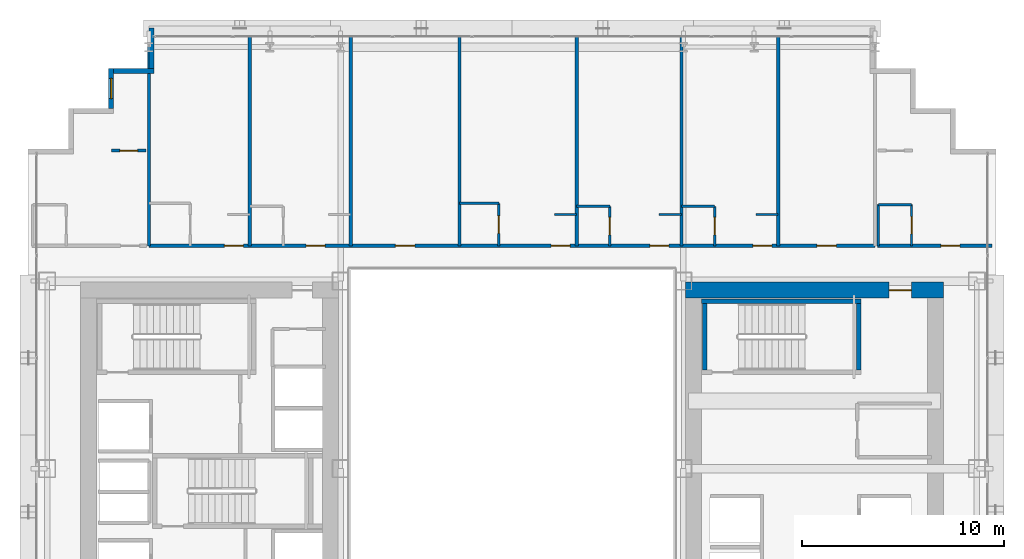
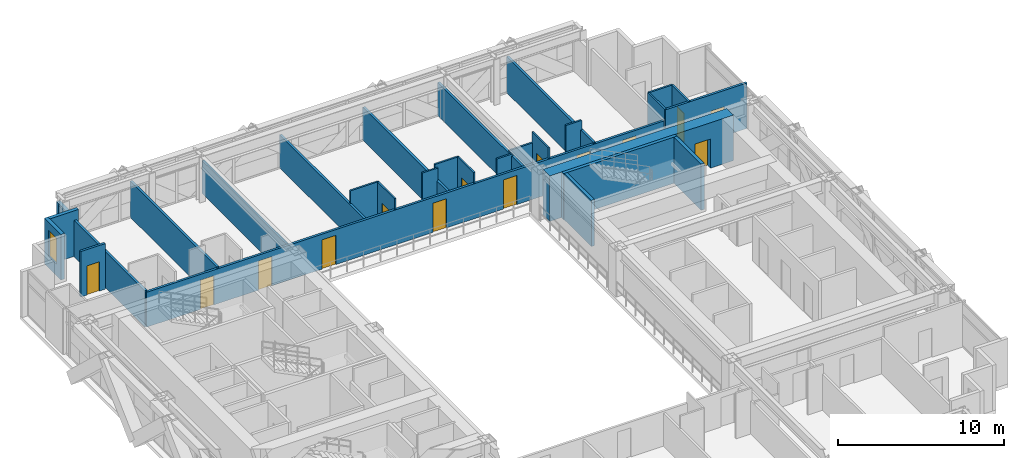
# One storey, part 30 of 35: 29 walls, 14 doors, 1 window, 15 openings.
"""IFC4 building model written with IfcOpenShell, lengths in metres."""

from ifc_helpers import new_model, si_unit, direction, frame, frame_2d, origin, place, context, subcontext, project, spatial, rectangle, extrude, source, transform, mapped, material, layer, layer_set, type_object, element, fill, save


model = new_model("IFC4")

# Units and contexts
model_context = context("Model", 3, precision=1e-05, world=origin(), true_north=direction((0.0, 1.0)))
body_context = subcontext(model_context, "Body", "Model", "MODEL_VIEW")
ifc_project = project(units=[si_unit("LENGTHUNIT", "METRE"), si_unit("AREAUNIT", "SQUARE_METRE"), si_unit("VOLUMEUNIT", "CUBIC_METRE"), si_unit("PLANEANGLEUNIT", "RADIAN"), si_unit("MASSUNIT", "GRAM", prefix="KILO")], contexts=[model_context])

# Site, building, storey
site_placement = place(None, origin())
site = spatial("IfcSite", under=ifc_project, at=site_placement, CompositionType="ELEMENT")
building_placement = place(site_placement, origin())
building = spatial("IfcBuilding", under=site, at=building_placement, Name="Ocotamira Hotel", CompositionType="ELEMENT")
storey_placement = place(building_placement, frame((0.0, 0.0, 70.800048828125)))
storey = spatial("IfcBuildingStorey", under=building, at=storey_placement, Name="L17", CompositionType="ELEMENT", Elevation=70.800048828125)

# Wall, opening, door
ifc_material_1 = material(Name="Concrete C60/75", Category="concrete")
ifc_layer_1 = layer(ifc_material_1, 0.800048828125)
ifc_layer_set_1 = layer_set([ifc_layer_1], Name="Concrete C60/75")
wall_type_1 = type_object("IfcWallType", Name="WL-CORE-800", PredefinedType="SHEAR", material=ifc_layer_set_1)
wall_1_placement = place(storey_placement, frame((40.60009765625, 37.0, 0.0), z_axis=(0.0, 0.0, 1.0), x_axis=(1.0, 0.0, 0.0)))
wall_1 = element("IfcWall", 1, at=wall_1_placement, inside=storey, type_object=wall_type_1, Name="L17 Shear Core Wall ECORE-N", PredefinedType="SHEAR", context=body_context, shape_type="SweptSolid", body=[
    extrude(rectangle(XDim=12.7998046875, YDim=0.800048828125, at=frame_2d((6.39990234375, 0.0))), origin(), (0.0, 0.0, 1.0), 3.349853515625),
])
opening_1_placement = place(wall_1_placement, frame((10.10009765625, 0.0, 0.0)))
opening_1 = element("IfcOpeningElement", 2, at=opening_1_placement, cuts=wall_1, Name="Opening D-FR1", PredefinedType="OPENING", context=body_context, shape_type="SweptSolid", body=[
    extrude(rectangle(XDim=1.10009765625, YDim=2.14990234375, at=frame_2d((0.550048828125, 1.074951171875))), frame((0.0, 0.41015625, 0.0), z_axis=(0.0, -1.0, 0.0), x_axis=(1.0, 0.0, 0.0)), (0.0, 0.0, 1.0), 0.820068359375),
])
ifc_material_2 = material(Name="Fire-rated acoustic timber-veneer door", Category="wood")
door_type_1 = type_object("IfcDoorType", Name="DR-FIRE-1100", OperationType="NOTDEFINED", PredefinedType="DOOR", material=ifc_material_2)
shared_shape_1 = source(origin(), body_context, "Body", "SweptSolid", [
    extrude(rectangle(XDim=1.10009765625, YDim=2.14990234375, at=frame_2d((0.550048828125, 1.074951171875))), frame((0.0, 0.02490234375, 0.0), z_axis=(0.0, -1.0, 0.0), x_axis=(1.0, 0.0, 0.0)), (0.0, 0.0, 1.0), 0.050048828125),
])
door_1_placement = place(opening_1_placement, origin())
door_1 = element("IfcDoor", 3, at=door_1_placement, inside=storey, type_object=door_type_1, Name="L17 Door ID-L17-ELOB-N-D [ID-L17-ELOB-N-D]", OperationType="SINGLE_SWING_LEFT", OverallHeight=2.14990234375, OverallWidth=1.10009765625, PredefinedType="DOOR", context=body_context, shape_type="MappedRepresentation", body=[
    mapped(shared_shape_1, transform((0.0, 0.0, 0.0), scale=1.0)),
])
fill(opening_1, door_1)

# Walls
ifc_material_3 = material(Name="Precast concrete C45/55", Category="concrete")
ifc_layer_2 = layer(ifc_material_3, 0.25)
ifc_layer_set_2 = layer_set([ifc_layer_2], Name="Precast concrete C45/55")
wall_type_2 = type_object("IfcWallType", Name="WL-EXT-SER-250", PredefinedType="SOLIDWALL", material=ifc_layer_set_2)
wall_2_placement = place(storey_placement, frame((14.125, 50.0, 0.0), z_axis=(0.0, 0.0, 1.0), x_axis=(0.0, -1.0, 0.0)))
element("IfcWall", 4, at=wall_2_placement, inside=storey, type_object=wall_type_2, Name="L17 Serrated Corner Wall 13", PredefinedType="SOLIDWALL", context=body_context, shape_type="SweptSolid", body=[
    extrude(rectangle(XDim=2.0, YDim=0.25, at=frame_2d((1.0, 0.0))), origin(), (0.0, 0.0, 1.0), 2.656982421875),
])
wall_3_placement = place(storey_placement, frame((14.25, 47.875, 0.0), z_axis=(0.0, 0.0, 1.0), x_axis=(-1.0, 0.0, 0.0)))
element("IfcWall", 5, at=wall_3_placement, inside=storey, type_object=wall_type_2, Name="L17 Serrated Corner Wall 14", PredefinedType="SOLIDWALL", context=body_context, shape_type="SweptSolid", body=[
    extrude(rectangle(XDim=2.0, YDim=0.25, at=frame_2d((1.0, 0.0))), origin(), (0.0, 0.0, 1.0), 3.349853515625),
])

# Wall, opening, window
wall_4_placement = place(storey_placement, frame((12.125, 48.0, 0.0), z_axis=(0.0, 0.0, 1.0), x_axis=(0.0, -1.0, 0.0)))
wall_4 = element("IfcWall", 6, at=wall_4_placement, inside=storey, type_object=wall_type_2, Name="L17 Serrated Corner Wall 15", PredefinedType="SOLIDWALL", context=body_context, shape_type="SweptSolid", body=[
    extrude(rectangle(XDim=2.0, YDim=0.25, at=frame_2d((1.0, 0.0))), origin(), (0.0, 0.0, 1.0), 3.349853515625),
])
opening_2_placement = place(wall_4_placement, frame((0.5, 0.0, 0.85009765625)))
opening_2 = element("IfcOpeningElement", 7, at=opening_2_placement, cuts=wall_4, Name="Opening WN-2", PredefinedType="OPENING", context=body_context, shape_type="SweptSolid", body=[
    extrude(rectangle(XDim=1.0, YDim=1.89990234375, at=frame_2d((0.5, 0.949951171875))), frame((0.0, 0.135009765625, 0.0), z_axis=(0.0, -1.0, 0.0), x_axis=(1.0, 0.0, 0.0)), (0.0, 0.0, 1.0), 0.27001953125),
])
ifc_material_4 = material(Name="Double-silver low-E solar glass", Category="glass")
window_type = type_object("IfcWindowType", Name="WIN-SER-1100", PartitioningType="SINGLE_PANEL", PredefinedType="WINDOW", material=ifc_material_4)
shared_shape_2 = source(origin(), body_context, "Body", "SweptSolid", [
    extrude(rectangle(XDim=1.0, YDim=1.89990234375, at=frame_2d((0.5, 0.949951171875))), frame((0.0, 0.030029296875, 0.0), z_axis=(0.0, -1.0, 0.0), x_axis=(1.0, 0.0, 0.0)), (0.0, 0.0, 1.0), 0.06005859375),
])
window_placement = place(opening_2_placement, origin())
window = element("IfcWindow", 8, at=window_placement, inside=storey, type_object=window_type, Name="L17 Serrated Corner Window 15", OverallHeight=1.89990234375, OverallWidth=1.0, PartitioningType="SINGLE_PANEL", PredefinedType="WINDOW", context=body_context, shape_type="MappedRepresentation", body=[
    mapped(shared_shape_2, transform((0.0, 0.0, 0.0), scale=1.0)),
])
fill(opening_2, window)

# Wall, opening, door
ifc_material_5 = material(Name="Acoustic double-layer fire gypsum board partition", Category="gypsum")
ifc_layer_3 = layer(ifc_material_5, 0.159912109375)
ifc_layer_set_3 = layer_set([ifc_layer_3], Name="Acoustic double-layer fire gypsum board partition")
wall_type_3 = type_object("IfcWallType", Name="WL-FIRE-160", PredefinedType="PARTITIONING", material=ifc_layer_set_3)
wall_5_placement = place(storey_placement, frame((50.1201171875, 39.199951171875, 0.0), z_axis=(0.0, 0.0, 1.0), x_axis=(1.0, 0.0, 0.0)))
wall_5 = element("IfcWall", 9, at=wall_5_placement, inside=storey, type_object=wall_type_3, Name="L17 Interior Wall PW-L17-Z1D-CNE-CW", PredefinedType="PARTITIONING", context=body_context, shape_type="SweptSolid", body=[
    extrude(rectangle(XDim=5.679931640625, YDim=0.159912109375, at=frame_2d((2.83984375, 0.0))), origin(), (0.0, 0.0, 1.0), 3.349853515625),
])
opening_3_placement = place(wall_5_placement, frame((3.14990234375, 0.0, 0.0)))
opening_3 = element("IfcOpeningElement", 10, at=opening_3_placement, cuts=wall_5, Name="Opening D-GR1", PredefinedType="OPENING", context=body_context, shape_type="SweptSolid", body=[
    extrude(rectangle(XDim=0.93994140625, YDim=2.14990234375, at=frame_2d((0.469970703125, 1.074951171875))), frame((0.0, 0.08984375, 0.0), z_axis=(0.0, -1.0, 0.0), x_axis=(1.0, 0.0, 0.0)), (0.0, 0.0, 1.0), 0.179931640625),
])
ifc_material_6 = material(Name="Solid-core walnut suite entrance fire door", Category="wood")
door_type_2 = type_object("IfcDoorType", Name="DR-GUEST-940", OperationType="NOTDEFINED", PredefinedType="DOOR", material=ifc_material_6)
shared_shape_3 = source(origin(), body_context, "Body", "SweptSolid", [
    extrude(rectangle(XDim=0.93994140625, YDim=2.14990234375, at=frame_2d((0.469970703125, 1.074951171875))), frame((0.0, 0.02490234375, 0.0), z_axis=(0.0, -1.0, 0.0), x_axis=(1.0, 0.0, 0.0)), (0.0, 0.0, 1.0), 0.050048828125),
])
door_2_placement = place(opening_3_placement, origin())
door_2 = element("IfcDoor", 11, at=door_2_placement, inside=storey, type_object=door_type_2, Name="L17 Door ID-L17-Z1D-CNE-CD [ID-L17-Z1D-CNE-CD]", OperationType="SINGLE_SWING_RIGHT", OverallHeight=2.14990234375, OverallWidth=0.93994140625, PredefinedType="DOOR", context=body_context, shape_type="MappedRepresentation", body=[
    mapped(shared_shape_3, transform((0.0, 0.0, 0.0), scale=1.0)),
])
fill(opening_3, door_2)

wall_6_placement = place(storey_placement, frame((12.14990234375, 43.919921875, 0.0), z_axis=(0.0, 0.0, 1.0), x_axis=(1.0, 0.0, 0.0)))
wall_6 = element("IfcWall", 12, at=wall_6_placement, inside=storey, type_object=wall_type_3, Name="L17 Interior Wall PW-L17-Z1D-CNW2-CW", PredefinedType="PARTITIONING", context=body_context, shape_type="SweptSolid", body=[
    extrude(rectangle(XDim=1.7001953125, YDim=0.159912109375, at=frame_2d((0.85009765625, 0.0))), origin(), (0.0, 0.0, 1.0), 3.349853515625),
])
opening_4_placement = place(wall_6_placement, frame((0.409912109375, 0.0, 0.0)))
opening_4 = element("IfcOpeningElement", 13, at=opening_4_placement, cuts=wall_6, Name="Opening D-SV2", PredefinedType="OPENING", context=body_context, shape_type="SweptSolid", body=[
    extrude(rectangle(XDim=0.8798828125, YDim=2.14990234375, at=frame_2d((0.43994140625, 1.074951171875))), frame((0.0, 0.08984375, 0.0), z_axis=(0.0, -1.0, 0.0), x_axis=(1.0, 0.0, 0.0)), (0.0, 0.0, 1.0), 0.179931640625),
])
ifc_material_7 = material(Name="Fire-rated painted steel service door", Category="steel")
door_type_3 = type_object("IfcDoorType", Name="DR-SERV-880", OperationType="NOTDEFINED", PredefinedType="DOOR", material=ifc_material_7)
shared_shape_4 = source(origin(), body_context, "Body", "SweptSolid", [
    extrude(rectangle(XDim=0.8798828125, YDim=2.14990234375, at=frame_2d((0.43994140625, 1.074951171875))), frame((0.0, 0.02490234375, 0.0), z_axis=(0.0, -1.0, 0.0), x_axis=(1.0, 0.0, 0.0)), (0.0, 0.0, 1.0), 0.050048828125),
])
door_3_placement = place(opening_4_placement, origin())
door_3 = element("IfcDoor", 14, at=door_3_placement, inside=storey, type_object=door_type_3, Name="L17 Door ID-L17-Z1D-CNW2-CD [ID-L17-Z1D-CNW2-CD]", OperationType="SINGLE_SWING_LEFT", OverallHeight=2.14990234375, OverallWidth=0.8798828125, PredefinedType="DOOR", context=body_context, shape_type="MappedRepresentation", body=[
    mapped(shared_shape_4, transform((0.0, 0.0, 0.0), scale=1.0)),
])
fill(opening_4, door_3)

# Wall, openings, doors
wall_7_placement = place(storey_placement, frame((14.0, 39.199951171875, 0.0), z_axis=(0.0, 0.0, 1.0), x_axis=(1.0, 0.0, 0.0)))
wall_7 = element("IfcWall", 15, at=wall_7_placement, inside=storey, type_object=wall_type_3, Name="L17 Interior Wall PW-L17-Z1DN-CORRW", PredefinedType="PARTITIONING", context=body_context, shape_type="SweptSolid", body=[
    extrude(rectangle(XDim=36.0, YDim=0.159912109375, at=frame_2d((18.0, 0.0))), origin(), (0.0, 0.0, 1.0), 2.571044921875),
])
opening_5_placement = place(wall_7_placement, frame((3.739990234375, 0.0, 0.0)))
opening_5 = element("IfcOpeningElement", 16, at=opening_5_placement, cuts=wall_7, Name="Opening D-GR1", PredefinedType="OPENING", context=body_context, shape_type="SweptSolid", body=[
    extrude(rectangle(XDim=0.93994140625, YDim=2.14990234375, at=frame_2d((0.469970703125, 1.074951171875))), frame((0.0, 0.08984375, 0.0), z_axis=(0.0, -1.0, 0.0), x_axis=(1.0, 0.0, 0.0)), (0.0, 0.0, 1.0), 0.179931640625),
])
opening_6_placement = place(wall_7_placement, frame((7.7900390625, 0.0, 0.0)))
opening_6 = element("IfcOpeningElement", 17, at=opening_6_placement, cuts=wall_7, Name="Opening D-GR1", PredefinedType="OPENING", context=body_context, shape_type="SweptSolid", body=[
    extrude(rectangle(XDim=0.93994140625, YDim=2.14990234375, at=frame_2d((0.469970703125, 1.074951171875))), frame((0.0, 0.08984375, 0.0), z_axis=(0.0, -1.0, 0.0), x_axis=(1.0, 0.0, 0.0)), (0.0, 0.0, 1.0), 0.179931640625),
])
opening_7_placement = place(wall_7_placement, frame((12.219970703125, 0.0, 0.0)))
opening_7 = element("IfcOpeningElement", 18, at=opening_7_placement, cuts=wall_7, Name="Opening D-SV4", PredefinedType="OPENING", context=body_context, shape_type="SweptSolid", body=[
    extrude(rectangle(XDim=0.9599609375, YDim=2.14990234375, at=frame_2d((0.47998046875, 1.074951171875))), frame((0.0, 0.08984375, 0.0), z_axis=(0.0, -1.0, 0.0), x_axis=(1.0, 0.0, 0.0)), (0.0, 0.0, 1.0), 0.179931640625),
])
opening_8_placement = place(wall_7_placement, frame((19.93994140625, 0.0, 0.0)))
opening_8 = element("IfcOpeningElement", 19, at=opening_8_placement, cuts=wall_7, Name="Opening D-GR1", PredefinedType="OPENING", context=body_context, shape_type="SweptSolid", body=[
    extrude(rectangle(XDim=0.93994140625, YDim=2.14990234375, at=frame_2d((0.469970703125, 1.074951171875))), frame((0.0, 0.08984375, 0.0), z_axis=(0.0, -1.0, 0.0), x_axis=(1.0, 0.0, 0.0)), (0.0, 0.0, 1.0), 0.179931640625),
])
opening_9_placement = place(wall_7_placement, frame((24.840087890625, 0.0, 0.0)))
opening_9 = element("IfcOpeningElement", 20, at=opening_9_placement, cuts=wall_7, Name="Opening D-GR1", PredefinedType="OPENING", context=body_context, shape_type="SweptSolid", body=[
    extrude(rectangle(XDim=0.93994140625, YDim=2.14990234375, at=frame_2d((0.469970703125, 1.074951171875))), frame((0.0, 0.08984375, 0.0), z_axis=(0.0, -1.0, 0.0), x_axis=(1.0, 0.0, 0.0)), (0.0, 0.0, 1.0), 0.179931640625),
])
opening_10_placement = place(wall_7_placement, frame((29.93994140625, 0.0, 0.0)))
opening_10 = element("IfcOpeningElement", 21, at=opening_10_placement, cuts=wall_7, Name="Opening D-GR1", PredefinedType="OPENING", context=body_context, shape_type="SweptSolid", body=[
    extrude(rectangle(XDim=0.93994140625, YDim=2.14990234375, at=frame_2d((0.469970703125, 1.074951171875))), frame((0.0, 0.08984375, 0.0), z_axis=(0.0, -1.0, 0.0), x_axis=(1.0, 0.0, 0.0)), (0.0, 0.0, 1.0), 0.179931640625),
])
opening_11_placement = place(wall_7_placement, frame((33.1201171875, 0.0, 0.0)))
opening_11 = element("IfcOpeningElement", 22, at=opening_11_placement, cuts=wall_7, Name="Opening D-SV4", PredefinedType="OPENING", context=body_context, shape_type="SweptSolid", body=[
    extrude(rectangle(XDim=0.9599609375, YDim=2.14990234375, at=frame_2d((0.47998046875, 1.074951171875))), frame((0.0, 0.08984375, 0.0), z_axis=(0.0, -1.0, 0.0), x_axis=(1.0, 0.0, 0.0)), (0.0, 0.0, 1.0), 0.179931640625),
])
ifc_material_8 = material(Name="Fire-rated accessible walnut salon door", Category="wood")
door_type_4 = type_object("IfcDoorType", Name="DR-SERV-960", OperationType="NOTDEFINED", PredefinedType="DOOR", material=ifc_material_8)
shared_shape_5 = source(origin(), body_context, "Body", "SweptSolid", [
    extrude(rectangle(XDim=0.9599609375, YDim=2.14990234375, at=frame_2d((0.47998046875, 1.074951171875))), frame((0.0, 0.02490234375, 0.0), z_axis=(0.0, -1.0, 0.0), x_axis=(1.0, 0.0, 0.0)), (0.0, 0.0, 1.0), 0.050048828125),
])
door_4_placement = place(opening_7_placement, origin())
door_4 = element("IfcDoor", 23, at=door_4_placement, inside=storey, type_object=door_type_4, Name="L17 Door ID-L17-Z1DN-AMD3 [ID-L17-Z1DN-AMD3]", OperationType="SINGLE_SWING_LEFT", OverallHeight=2.14990234375, OverallWidth=0.9599609375, PredefinedType="DOOR", context=body_context, shape_type="MappedRepresentation", body=[
    mapped(shared_shape_5, transform((0.0, 0.0, 0.0), scale=1.0)),
])
fill(opening_7, door_4)
door_5_placement = place(opening_11_placement, origin())
door_5 = element("IfcDoor", 24, at=door_5_placement, inside=storey, type_object=door_type_4, Name="L17 Door ID-L17-Z1DN-AMD7 [ID-L17-Z1DN-AMD7]", OperationType="SINGLE_SWING_LEFT", OverallHeight=2.14990234375, OverallWidth=0.9599609375, PredefinedType="DOOR", context=body_context, shape_type="MappedRepresentation", body=[
    mapped(shared_shape_5, transform((0.0, 0.0, 0.0), scale=1.0)),
])
fill(opening_11, door_5)
door_6_placement = place(opening_5_placement, origin())
door_6 = element("IfcDoor", 25, at=door_6_placement, inside=storey, type_object=door_type_2, Name="L17 Door ID-L17-Z1DN-RMD1 [ID-L17-Z1DN-RMD1]", OperationType="SINGLE_SWING_LEFT", OverallHeight=2.14990234375, OverallWidth=0.93994140625, PredefinedType="DOOR", context=body_context, shape_type="MappedRepresentation", body=[
    mapped(shared_shape_3, transform((0.0, 0.0, 0.0), scale=1.0)),
])
fill(opening_5, door_6)
door_7_placement = place(opening_6_placement, origin())
door_7 = element("IfcDoor", 26, at=door_7_placement, inside=storey, type_object=door_type_2, Name="L17 Door ID-L17-Z1DN-RMD2 [ID-L17-Z1DN-RMD2]", OperationType="SINGLE_SWING_RIGHT", OverallHeight=2.14990234375, OverallWidth=0.93994140625, PredefinedType="DOOR", context=body_context, shape_type="MappedRepresentation", body=[
    mapped(shared_shape_3, transform((0.0, 0.0, 0.0), scale=1.0)),
])
fill(opening_6, door_7)
door_8_placement = place(opening_8_placement, origin())
door_8 = element("IfcDoor", 27, at=door_8_placement, inside=storey, type_object=door_type_2, Name="L17 Door ID-L17-Z1DN-RMD4 [ID-L17-Z1DN-RMD4]", OperationType="SINGLE_SWING_RIGHT", OverallHeight=2.14990234375, OverallWidth=0.93994140625, PredefinedType="DOOR", context=body_context, shape_type="MappedRepresentation", body=[
    mapped(shared_shape_3, transform((0.0, 0.0, 0.0), scale=1.0)),
])
fill(opening_8, door_8)
door_9_placement = place(opening_9_placement, origin())
door_9 = element("IfcDoor", 28, at=door_9_placement, inside=storey, type_object=door_type_2, Name="L17 Door ID-L17-Z1DN-RMD5 [ID-L17-Z1DN-RMD5]", OperationType="SINGLE_SWING_LEFT", OverallHeight=2.14990234375, OverallWidth=0.93994140625, PredefinedType="DOOR", context=body_context, shape_type="MappedRepresentation", body=[
    mapped(shared_shape_3, transform((0.0, 0.0, 0.0), scale=1.0)),
])
fill(opening_9, door_9)
door_10_placement = place(opening_10_placement, origin())
door_10 = element("IfcDoor", 29, at=door_10_placement, inside=storey, type_object=door_type_2, Name="L17 Door ID-L17-Z1DN-RMD6 [ID-L17-Z1DN-RMD6]", OperationType="SINGLE_SWING_RIGHT", OverallHeight=2.14990234375, OverallWidth=0.93994140625, PredefinedType="DOOR", context=body_context, shape_type="MappedRepresentation", body=[
    mapped(shared_shape_3, transform((0.0, 0.0, 0.0), scale=1.0)),
])
fill(opening_10, door_10)

# Wall, opening, door
ifc_material_9 = material(Name="Moisture-resistant en-suite tile and gypsum partition", Category="gypsum")
ifc_layer_4 = layer(ifc_material_9, 0.1201171875)
ifc_layer_set_4 = layer_set([ifc_layer_4], Name="Moisture-resistant en-suite tile and gypsum partition")
wall_type_4 = type_object("IfcWallType", Name="WL-PART-120", PredefinedType="PARTITIONING", material=ifc_layer_set_4)
wall_8_placement = place(storey_placement, frame((51.81005859375, 39.199951171875, 0.0), z_axis=(0.0, 0.0, 1.0), x_axis=(0.0, 1.0, 0.0)))
wall_8 = element("IfcWall", 30, at=wall_8_placement, inside=storey, type_object=wall_type_4, Name="L17 Interior Wall PW-L17-Z1D-CNE-BE", PredefinedType="PARTITIONING", context=body_context, shape_type="SweptSolid", body=[
    extrude(rectangle(XDim=2.0400390625, YDim=0.1201171875, at=frame_2d((1.02001953125, 0.0))), origin(), (0.0, 0.0, 1.0), 3.349853515625),
])
opening_12_placement = place(wall_8_placement, frame((0.590087890625, 0.0, 0.0)))
opening_12 = element("IfcOpeningElement", 31, at=opening_12_placement, cuts=wall_8, Name="Opening D-BA1", PredefinedType="OPENING", context=body_context, shape_type="SweptSolid", body=[
    extrude(rectangle(XDim=0.860107421875, YDim=2.10009765625, at=frame_2d((0.43017578125, 1.050048828125))), frame((0.0, 0.070068359375, 0.0), z_axis=(0.0, -1.0, 0.0), x_axis=(1.0, 0.0, 0.0)), (0.0, 0.0, 1.0), 0.14013671875),
])
ifc_material_10 = material(Name="Moisture-sealed en-suite timber door", Category="wood")
door_type_5 = type_object("IfcDoorType", Name="DR-BATH-860", OperationType="NOTDEFINED", PredefinedType="DOOR", material=ifc_material_10)
shared_shape_6 = source(origin(), body_context, "Body", "SweptSolid", [
    extrude(rectangle(XDim=0.860107421875, YDim=2.10009765625, at=frame_2d((0.43017578125, 1.050048828125))), frame((0.0, 0.02490234375, 0.0), z_axis=(0.0, -1.0, 0.0), x_axis=(1.0, 0.0, 0.0)), (0.0, 0.0, 1.0), 0.050048828125),
])
door_11_placement = place(opening_12_placement, origin())
door_11 = element("IfcDoor", 32, at=door_11_placement, inside=storey, type_object=door_type_5, Name="L17 Door ID-L17-Z1D-CNE-BD [ID-L17-Z1D-CNE-BD]", OperationType="SINGLE_SWING_LEFT", OverallHeight=2.10009765625, OverallWidth=0.860107421875, PredefinedType="DOOR", context=body_context, shape_type="MappedRepresentation", body=[
    mapped(shared_shape_6, transform((0.0, 0.0, 0.0), scale=1.0)),
])
fill(opening_12, door_11)

# Walls
wall_9_placement = place(storey_placement, frame((50.159912109375, 39.199951171875, 0.0), z_axis=(0.0, 0.0, 1.0), x_axis=(0.0, 1.0, 0.0)))
element("IfcWall", 33, at=wall_9_placement, inside=storey, type_object=wall_type_4, Name="L17 Interior Wall PW-L17-Z1D-CNE-BW", PredefinedType="PARTITIONING", context=body_context, shape_type="SweptSolid", body=[
    extrude(rectangle(XDim=2.0400390625, YDim=0.1201171875, at=frame_2d((1.02001953125, 0.0))), origin(), (0.0, 0.0, 1.0), 3.349853515625),
])
wall_10_placement = place(storey_placement, frame((50.159912109375, 41.239990234375, 0.0), z_axis=(0.0, 0.0, 1.0), x_axis=(1.0, 0.0, 0.0)))
element("IfcWall", 34, at=wall_10_placement, inside=storey, type_object=wall_type_4, Name="L17 Interior Wall PW-L17-Z1D-CNE-BH", PredefinedType="PARTITIONING", context=body_context, shape_type="SweptSolid", body=[
    extrude(rectangle(XDim=1.650146484375, YDim=0.1201171875, at=frame_2d((0.8251953125, 0.0))), origin(), (0.0, 0.0, 1.0), 3.349853515625),
])

# Wall, opening, door
wall_11_placement = place(storey_placement, frame((31.35009765625, 39.199951171875, 0.0), z_axis=(0.0, 0.0, 1.0), x_axis=(0.0, 1.0, 0.0)))
wall_11 = element("IfcWall", 35, at=wall_11_placement, inside=storey, type_object=wall_type_4, Name="L17 Interior Wall PW-L17-Z1DN-BAE4", PredefinedType="PARTITIONING", context=body_context, shape_type="SweptSolid", body=[
    extrude(rectangle(XDim=2.10009765625, YDim=0.1201171875, at=frame_2d((1.050048828125, 0.0))), origin(), (0.0, 0.0, 1.0), 3.349853515625),
])
opening_13_placement = place(wall_11_placement, frame((0.6201171875, 0.0, 0.0)))
opening_13 = element("IfcOpeningElement", 36, at=opening_13_placement, cuts=wall_11, Name="Opening D-BA1", PredefinedType="OPENING", context=body_context, shape_type="SweptSolid", body=[
    extrude(rectangle(XDim=0.860107421875, YDim=2.10009765625, at=frame_2d((0.43017578125, 1.050048828125))), frame((0.0, 0.070068359375, 0.0), z_axis=(0.0, -1.0, 0.0), x_axis=(1.0, 0.0, 0.0)), (0.0, 0.0, 1.0), 0.14013671875),
])
door_12_placement = place(opening_13_placement, origin())
door_12 = element("IfcDoor", 37, at=door_12_placement, inside=storey, type_object=door_type_5, Name="L17 Door ID-L17-Z1DN-BAD4 [ID-L17-Z1DN-BAD4]", OperationType="SINGLE_SWING_LEFT", OverallHeight=2.10009765625, OverallWidth=0.860107421875, PredefinedType="DOOR", context=body_context, shape_type="MappedRepresentation", body=[
    mapped(shared_shape_6, transform((0.0, 0.0, 0.0), scale=1.0)),
])
fill(opening_13, door_12)

# Walls
wall_12_placement = place(storey_placement, frame((29.39990234375, 41.300048828125, 0.0), z_axis=(0.0, 0.0, 1.0), x_axis=(1.0, 0.0, 0.0)))
element("IfcWall", 38, at=wall_12_placement, inside=storey, type_object=wall_type_4, Name="L17 Interior Wall PW-L17-Z1DN-BAN4", PredefinedType="PARTITIONING", context=body_context, shape_type="SweptSolid", body=[
    extrude(rectangle(XDim=1.9501953125, YDim=0.1201171875, at=frame_2d((0.97509765625, 0.0))), origin(), (0.0, 0.0, 1.0), 3.349853515625),
])
wall_13_placement = place(storey_placement, frame((34.10009765625, 40.75, 0.0), z_axis=(0.0, 0.0, 1.0), x_axis=(1.0, 0.0, 0.0)))
element("IfcWall", 39, at=wall_13_placement, inside=storey, type_object=wall_type_4, Name="L17 Interior Wall PW-L17-Z1DN-DRN4", PredefinedType="PARTITIONING", context=body_context, shape_type="SweptSolid", body=[
    extrude(rectangle(XDim=1.099853515625, YDim=0.1201171875, at=frame_2d((0.5498046875, 0.0))), origin(), (0.0, 0.0, 1.0), 3.349853515625),
])

# Wall, opening, door
wall_14_placement = place(storey_placement, frame((36.85009765625, 39.199951171875, 0.0), z_axis=(0.0, 0.0, 1.0), x_axis=(0.0, 1.0, 0.0)))
wall_14 = element("IfcWall", 40, at=wall_14_placement, inside=storey, type_object=wall_type_4, Name="L17 Interior Wall PW-L17-Z1DN-BAE5", PredefinedType="PARTITIONING", context=body_context, shape_type="SweptSolid", body=[
    extrude(rectangle(XDim=1.949951171875, YDim=0.1201171875, at=frame_2d((0.97509765625, 0.0))), origin(), (0.0, 0.0, 1.0), 3.349853515625),
])
opening_14_placement = place(wall_14_placement, frame((0.544921875, 0.0, 0.0)))
opening_14 = element("IfcOpeningElement", 41, at=opening_14_placement, cuts=wall_14, Name="Opening D-BA1", PredefinedType="OPENING", context=body_context, shape_type="SweptSolid", body=[
    extrude(rectangle(XDim=0.860107421875, YDim=2.10009765625, at=frame_2d((0.43017578125, 1.050048828125))), frame((0.0, 0.070068359375, 0.0), z_axis=(0.0, -1.0, 0.0), x_axis=(1.0, 0.0, 0.0)), (0.0, 0.0, 1.0), 0.14013671875),
])
door_13_placement = place(opening_14_placement, origin())
door_13 = element("IfcDoor", 42, at=door_13_placement, inside=storey, type_object=door_type_5, Name="L17 Door ID-L17-Z1DN-BAD5 [ID-L17-Z1DN-BAD5]", OperationType="SINGLE_SWING_RIGHT", OverallHeight=2.10009765625, OverallWidth=0.860107421875, PredefinedType="DOOR", context=body_context, shape_type="MappedRepresentation", body=[
    mapped(shared_shape_6, transform((0.0, 0.0, 0.0), scale=1.0)),
])
fill(opening_14, door_13)

# Walls
wall_15_placement = place(storey_placement, frame((35.199951171875, 41.14990234375, 0.0), z_axis=(0.0, 0.0, 1.0), x_axis=(1.0, 0.0, 0.0)))
element("IfcWall", 43, at=wall_15_placement, inside=storey, type_object=wall_type_4, Name="L17 Interior Wall PW-L17-Z1DN-BAN5", PredefinedType="PARTITIONING", context=body_context, shape_type="SweptSolid", body=[
    extrude(rectangle(XDim=1.650146484375, YDim=0.1201171875, at=frame_2d((0.8251953125, 0.0))), origin(), (0.0, 0.0, 1.0), 3.349853515625),
])
wall_16_placement = place(storey_placement, frame((39.300048828125, 40.75, 0.0), z_axis=(0.0, 0.0, 1.0), x_axis=(1.0, 0.0, 0.0)))
element("IfcWall", 44, at=wall_16_placement, inside=storey, type_object=wall_type_4, Name="L17 Interior Wall PW-L17-Z1DN-DRN5", PredefinedType="PARTITIONING", context=body_context, shape_type="SweptSolid", body=[
    extrude(rectangle(XDim=1.099853515625, YDim=0.1201171875, at=frame_2d((0.5498046875, 0.0))), origin(), (0.0, 0.0, 1.0), 2.571044921875),
])

# Wall, opening, door
wall_17_placement = place(storey_placement, frame((42.050048828125, 39.199951171875, 0.0), z_axis=(0.0, 0.0, 1.0), x_axis=(0.0, 1.0, 0.0)))
wall_17 = element("IfcWall", 45, at=wall_17_placement, inside=storey, type_object=wall_type_4, Name="L17 Interior Wall PW-L17-Z1DN-BAE6", PredefinedType="PARTITIONING", context=body_context, shape_type="SweptSolid", body=[
    extrude(rectangle(XDim=1.949951171875, YDim=0.1201171875, at=frame_2d((0.97509765625, 0.0))), origin(), (0.0, 0.0, 1.0), 3.349853515625),
])
opening_15_placement = place(wall_17_placement, frame((0.544921875, 0.0, 0.0)))
opening_15 = element("IfcOpeningElement", 46, at=opening_15_placement, cuts=wall_17, Name="Opening D-BA1", PredefinedType="OPENING", context=body_context, shape_type="SweptSolid", body=[
    extrude(rectangle(XDim=0.860107421875, YDim=2.10009765625, at=frame_2d((0.43017578125, 1.050048828125))), frame((0.0, 0.070068359375, 0.0), z_axis=(0.0, -1.0, 0.0), x_axis=(1.0, 0.0, 0.0)), (0.0, 0.0, 1.0), 0.14013671875),
])
door_14_placement = place(opening_15_placement, origin())
door_14 = element("IfcDoor", 47, at=door_14_placement, inside=storey, type_object=door_type_5, Name="L17 Door ID-L17-Z1DN-BAD6 [ID-L17-Z1DN-BAD6]", OperationType="SINGLE_SWING_LEFT", OverallHeight=2.10009765625, OverallWidth=0.860107421875, PredefinedType="DOOR", context=body_context, shape_type="MappedRepresentation", body=[
    mapped(shared_shape_6, transform((0.0, 0.0, 0.0), scale=1.0)),
])
fill(opening_15, door_14)

# Walls
wall_18_placement = place(storey_placement, frame((40.39990234375, 41.14990234375, 0.0), z_axis=(0.0, 0.0, 1.0), x_axis=(1.0, 0.0, 0.0)))
element("IfcWall", 48, at=wall_18_placement, inside=storey, type_object=wall_type_4, Name="L17 Interior Wall PW-L17-Z1DN-BAN6", PredefinedType="PARTITIONING", context=body_context, shape_type="SweptSolid", body=[
    extrude(rectangle(XDim=1.650146484375, YDim=0.1201171875, at=frame_2d((0.8251953125, 0.0))), origin(), (0.0, 0.0, 1.0), 2.571044921875),
])
wall_19_placement = place(storey_placement, frame((44.10009765625, 40.75, 0.0), z_axis=(0.0, 0.0, 1.0), x_axis=(1.0, 0.0, 0.0)))
element("IfcWall", 49, at=wall_19_placement, inside=storey, type_object=wall_type_4, Name="L17 Interior Wall PW-L17-Z1DN-DRN6", PredefinedType="PARTITIONING", context=body_context, shape_type="SweptSolid", body=[
    extrude(rectangle(XDim=1.099853515625, YDim=0.1201171875, at=frame_2d((0.5498046875, 0.0))), origin(), (0.0, 0.0, 1.0), 3.349853515625),
])
ifc_material_11 = material(Name="Acoustic double-stud hospitality gypsum partition", Category="gypsum")
ifc_layer_5 = layer(ifc_material_11, 0.159912109375)
ifc_layer_set_5 = layer_set([ifc_layer_5], Name="Acoustic double-stud hospitality gypsum partition")
wall_type_5 = type_object("IfcWallType", Name="WL-PART-160", PredefinedType="PARTITIONING", material=ifc_layer_set_5)
for number, where, z_axis, x_axis, name in (
    (50, (14.0, 39.199951171875, 0.0), (0.0, 0.0, 1.0), (0.0, 1.0, 0.0), "L17 Interior Wall PW-L17-Z1DN-PW0"),
    (51, (19.0, 39.199951171875, 0.0), (0.0, 0.0, 1.0), (0.0, 1.0, 0.0), "L17 Interior Wall PW-L17-Z1DN-PW1"),
):
    element("IfcWall", number, at=place(storey_placement, frame(where, z_axis=z_axis, x_axis=x_axis)), inside=storey, type_object=wall_type_5, Name=name, PredefinedType="PARTITIONING", context=body_context, shape_type="SweptSolid", body=[
        extrude(rectangle(XDim=10.43994140625, YDim=0.159912109375, at=frame_2d((5.219970703125, 0.0))), origin(), (0.0, 0.0, 1.0), 2.656982421875),
    ])
for number, where, z_axis, x_axis, name in (
    (52, (24.0, 39.199951171875, 0.0), (0.0, 0.0, 1.0), (0.0, 1.0, 0.0), "L17 Interior Wall PW-L17-Z1DN-PW2"),
    (53, (29.39990234375, 39.199951171875, 0.0), (0.0, 0.0, 1.0), (0.0, 1.0, 0.0), "L17 Interior Wall PW-L17-Z1DN-PW3"),
    (54, (40.39990234375, 39.199951171875, 0.0), (0.0, 0.0, 1.0), (0.0, 1.0, 0.0), "L17 Interior Wall PW-L17-Z1DN-PW5"),
):
    element("IfcWall", number, at=place(storey_placement, frame(where, z_axis=z_axis, x_axis=x_axis)), inside=storey, type_object=wall_type_5, Name=name, PredefinedType="PARTITIONING", context=body_context, shape_type="SweptSolid", body=[
        extrude(rectangle(XDim=10.43994140625, YDim=0.159912109375, at=frame_2d((5.219970703125, 0.0))), origin(), (0.0, 0.0, 1.0), 2.4228515625),
    ])
wall_20_placement = place(storey_placement, frame((45.199951171875, 39.199951171875, 0.0), z_axis=(0.0, 0.0, 1.0), x_axis=(0.0, 1.0, 0.0)))
element("IfcWall", 55, at=wall_20_placement, inside=storey, type_object=wall_type_5, Name="L17 Interior Wall PW-L17-Z1DN-PW6", PredefinedType="PARTITIONING", context=body_context, shape_type="SweptSolid", body=[
    extrude(rectangle(XDim=10.43994140625, YDim=0.159912109375, at=frame_2d((5.219970703125, 0.0))), origin(), (0.0, 0.0, 1.0), 2.656982421875),
])
ifc_material_12 = material(Name="Double-stud suite party gypsum partition", Category="gypsum")
ifc_layer_6 = layer(ifc_material_12, 0.175048828125)
ifc_layer_set_6 = layer_set([ifc_layer_6], Name="Double-stud suite party gypsum partition")
wall_type_6 = type_object("IfcWallType", Name="WL-PART-175", PredefinedType="PARTITIONING", material=ifc_layer_set_6)
wall_21_placement = place(storey_placement, frame((35.199951171875, 39.199951171875, 0.0), z_axis=(0.0, 0.0, 1.0), x_axis=(0.0, 1.0, 0.0)))
element("IfcWall", 56, at=wall_21_placement, inside=storey, type_object=wall_type_6, Name="L17 Interior Wall PW-L17-Z1DN-PW4", PredefinedType="PARTITIONING", context=body_context, shape_type="SweptSolid", body=[
    extrude(rectangle(XDim=10.43994140625, YDim=0.175048828125, at=frame_2d((5.219970703125, 0.0))), origin(), (0.0, 0.0, 1.0), 2.4228515625),
])
ifc_material_13 = material(Name="Concrete C50/60", Category="concrete")
ifc_layer_7 = layer(ifc_material_13, 0.219970703125)
ifc_layer_set_7 = layer_set([ifc_layer_7], Name="Concrete C50/60")
wall_type_7 = type_object("IfcWallType", Name="WL-STAIR-220", PredefinedType="SHEAR", material=ifc_layer_set_7)
wall_22_placement = place(storey_placement, frame((41.39990234375, 36.43994140625, 0.0), z_axis=(0.0, 0.0, 1.0), x_axis=(1.0, 0.0, 0.0)))
element("IfcWall", 57, at=wall_22_placement, inside=storey, type_object=wall_type_7, Name="L17 Stair Shaft Structural Wall ST-4-N", PredefinedType="SHEAR", context=body_context, shape_type="SweptSolid", body=[
    extrude(rectangle(XDim=7.91015625, YDim=0.219970703125, at=frame_2d((3.955078125, 0.0))), origin(), (0.0, 0.0, 1.0), 3.39990234375),
])
for number, where, z_axis, x_axis, name in (
    (58, (41.56005859375, 33.050048828125, 0.0), (0.0, 0.0, 1.0), (0.0, 1.0, 0.0), "L17 Stair Shaft Structural Wall ST-4-W"),
    (59, (49.199951171875, 33.050048828125, 0.0), (0.0, 0.0, 1.0), (0.0, 1.0, 0.0), "L17 Stair Shaft Structural Wall ST-4-E"),
):
    element("IfcWall", number, at=place(storey_placement, frame(where, z_axis=z_axis, x_axis=x_axis)), inside=storey, type_object=wall_type_7, Name=name, PredefinedType="SHEAR", context=body_context, shape_type="SweptSolid", body=[
        extrude(rectangle(XDim=3.280029296875, YDim=0.219970703125, at=frame_2d((1.64013671875, 0.0))), origin(), (0.0, 0.0, 1.0), 3.39990234375),
    ])

save(model, "model.ifc")
